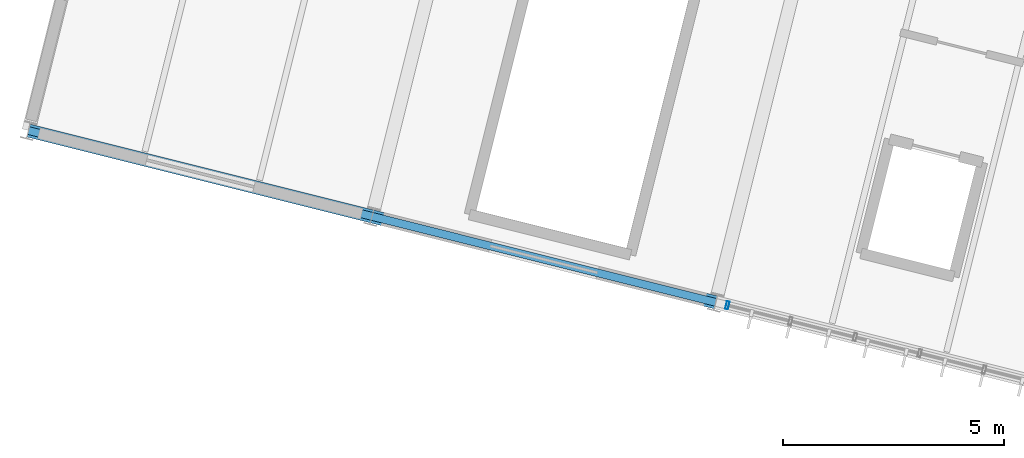
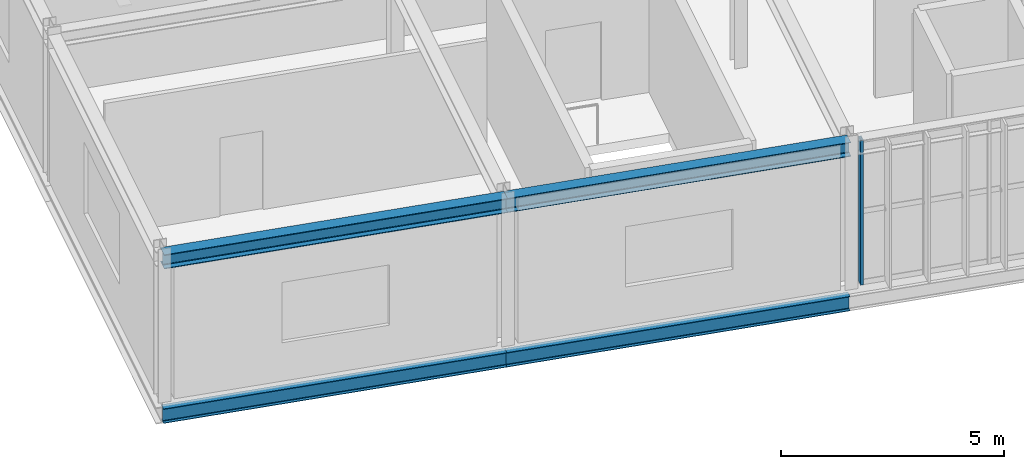
# One storey, part 5 of 30: 4 beams, 1 member, 1 element without a shape of its own.
"""IFC4 building model written with IfcOpenShell, lengths in metres."""

from ifc_helpers import new_model, si_unit, derived_unit, direction, frame, origin, origin_2d, place, context, subcontext, project, spatial, hollow_rectangle, i_section, extrude, material, material_profile, profile_set, type_object, element, aggregate, save


model = new_model("IFC4")

# Units and contexts
model_context = context("Model", 3, precision=1e-05, world=origin(), true_north=direction((0.0, 1.0)))
body_context = subcontext(model_context, "Body", "Model", "MODEL_VIEW")
ifc_project = project(units=[si_unit("LENGTHUNIT", "METRE"), si_unit("AREAUNIT", "SQUARE_METRE"), si_unit("VOLUMEUNIT", "CUBIC_METRE"), si_unit("PLANEANGLEUNIT", "RADIAN"), si_unit("MASSUNIT", "GRAM", prefix="KILO"), si_unit("THERMODYNAMICTEMPERATUREUNIT", "KELVIN"), si_unit("TIMEUNIT", "SECOND"), derived_unit("THERMALTRANSMITTANCEUNIT", [(si_unit("MASSUNIT", "GRAM", prefix="KILO"), 1), (si_unit("THERMODYNAMICTEMPERATUREUNIT", "KELVIN"), -1), (si_unit("TIMEUNIT", "SECOND"), -3)])], contexts=[model_context])

# Site, building, storey
site_placement = place(None, origin())
site = spatial("IfcSite", under=ifc_project, at=site_placement, CompositionType="ELEMENT")
building_placement = place(site_placement, origin())
building = spatial("IfcBuilding", under=site, at=building_placement, Name="Cambertide Market Hall", CompositionType="ELEMENT")
storey_placement = place(building_placement, frame((0.0, 0.0, 14.10009765625)))
storey = spatial("IfcBuildingStorey", under=building, at=storey_placement, Name="L04", CompositionType="ELEMENT", Elevation=14.10009765625)

# Curtain wall, member
ifc_material_1 = material(Name="Marine Anodized Aluminium 6063-T6 AA25", Category="aluminium")
curtain_wall_type = type_object("IfcCurtainWallType", Name="Herb Conservatory Crown Curtain Wall", PredefinedType="USERDEFINED", material=ifc_material_1)
curtain_wall_placement = place(storey_placement, origin())
curtain_wall = element("IfcCurtainWall", 1, at=curtain_wall_placement, inside=storey, type_object=curtain_wall_type, Name="Level 4 Curtain Wall CW-V4S-L04-3", ObjectType="UNITIZED CURTAIN WALL", PredefinedType="USERDEFINED")
ifc_material_2 = material(Name="Champagne Marine Anodized Aluminium 6063-T6 AA25", Category="aluminium")
ifc_material_profile_1 = material_profile(ifc_material_2, hollow_rectangle(XDim=0.06494140625, YDim=0.179931640625, WallThickness=0.00390625, at=origin_2d()), Name="ALU MULLION 65x180")
ifc_profile_set_1 = profile_set([ifc_material_profile_1], Name="Champagne Marine Anodized Aluminium 6063-T6 AA25")
member_type = type_object("IfcMemberType", Name="Curtain Wall Mullion ALU MULLION 65x180", PredefinedType="MULLION", material=ifc_profile_set_1)
member_placement = place(storey_placement, frame((123.7890625, 96.052734375, 0.0), z_axis=(0.0, 0.0, 1.0), x_axis=(-0.970142531436, 0.242535499875, 0.0)))
member = element("IfcMember", 2, at=member_placement, type_object=member_type, Name="CW-V4S-L04-3 Mullion 6", PredefinedType="MULLION", context=body_context, shape_type="SweptSolid", body=[
    extrude(hollow_rectangle(XDim=0.06494140625, YDim=0.179931640625, WallThickness=0.00390625, at=origin_2d()), origin(), (0.0, 0.0, 1.0), 3.9599609375),
])
aggregate(curtain_wall, [member])

# Beams
ifc_material_3 = material(Name="Steel S355", Category="steel")
ifc_material_profile_2 = material_profile(ifc_material_3, i_section(OverallWidth=0.300048828125, OverallDepth=0.389892578125, WebThickness=0.010986328125, FlangeThickness=0.01904296875, FilletRadius=0.027099609375, at=origin_2d()), Name="HEA 400")
ifc_profile_set_2 = profile_set([ifc_material_profile_2], Name="Steel S355")
beam_type_1 = type_object("IfcBeamType", Name="Exterior Steel Girder HEA 400", PredefinedType="BEAM", material=ifc_profile_set_2)
for number, where, z_axis, x_axis, name in (
    (3, (108.0, 100.0, 3.804931640625), (0.970146090314, -0.242521263911, 0.0), (0.242521263911, 0.970146090314, 0.0), "Level 4 Beam BM-V4U-RF-1-1"),
    (4, (115.76123046875, 98.059814453125, 3.804931640625), (0.970137114374, -0.242557167103, 0.0), (0.242557167103, 0.970137114374, 0.0), "Level 4 Beam BM-V4U-RF-2-1"),
):
    element("IfcBeam", number, at=place(storey_placement, frame(where, z_axis=z_axis, x_axis=x_axis)), inside=storey, type_object=beam_type_1, Name=name, PredefinedType="BEAM", context=body_context, shape_type="SweptSolid", body=[
        extrude(i_section(OverallWidth=0.300048828125, OverallDepth=0.389892578125, WebThickness=0.010986328125, FlangeThickness=0.01904296875, FilletRadius=0.027099609375, at=origin_2d()), origin(), (0.0, 0.0, 1.0), 8.0),
    ])
ifc_material_4 = material(Name="Steel S355", Category="steel")
ifc_material_profile_3 = material_profile(ifc_material_4, i_section(OverallWidth=0.179931640625, OverallDepth=0.39990234375, WebThickness=0.008544921875, FlangeThickness=0.013427734375, FilletRadius=0.02099609375, at=origin_2d()), Name="IPE 400")
ifc_profile_set_3 = profile_set([ifc_material_profile_3], Name="Steel S355")
beam_type_2 = type_object("IfcBeamType", Name="Perimeter Spandrel Beam IPE 400", PredefinedType="SPANDREL", material=ifc_profile_set_3)
for number, where, z_axis, x_axis, name in (
    (5, (108.0, 100.0, -0.455078125), (0.970146090314, -0.242521263911, 0.0), (0.242521263911, 0.970146090314, 0.0), "Level 4 Spandrel BM-V4U-L04-1-1"),
    (6, (115.76123046875, 98.059814453125, -0.455078125), (0.970137114374, -0.242557167103, 0.0), (0.242557167103, 0.970137114374, 0.0), "Level 4 Spandrel BM-V4U-L04-2-1"),
):
    element("IfcBeam", number, at=place(storey_placement, frame(where, z_axis=z_axis, x_axis=x_axis)), inside=storey, type_object=beam_type_2, Name=name, PredefinedType="SPANDREL", context=body_context, shape_type="SweptSolid", body=[
        extrude(i_section(OverallWidth=0.179931640625, OverallDepth=0.39990234375, WebThickness=0.008544921875, FlangeThickness=0.013427734375, FilletRadius=0.02099609375, at=origin_2d()), origin(), (0.0, 0.0, 1.0), 8.0),
    ])

save(model, "model.ifc")
